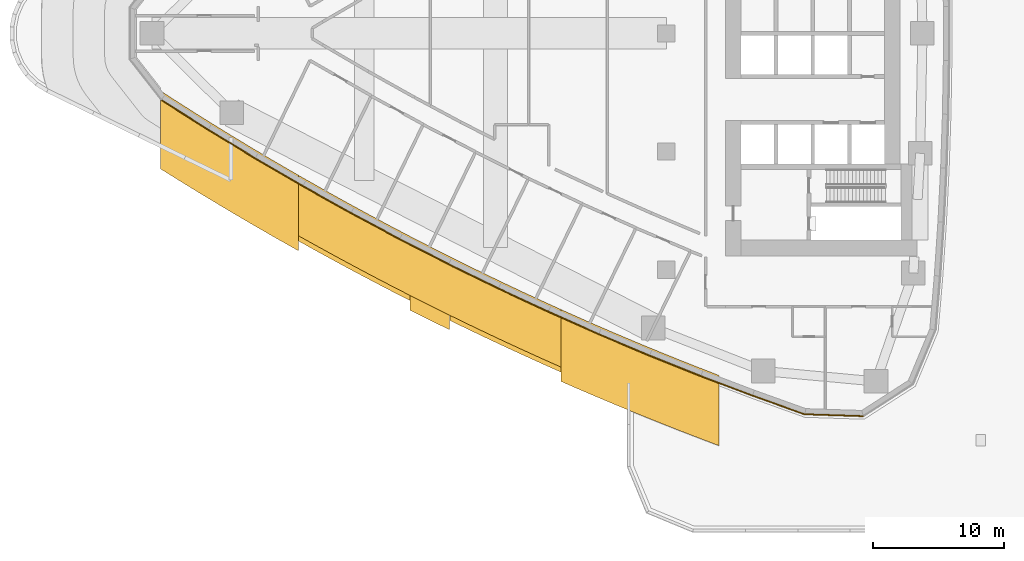
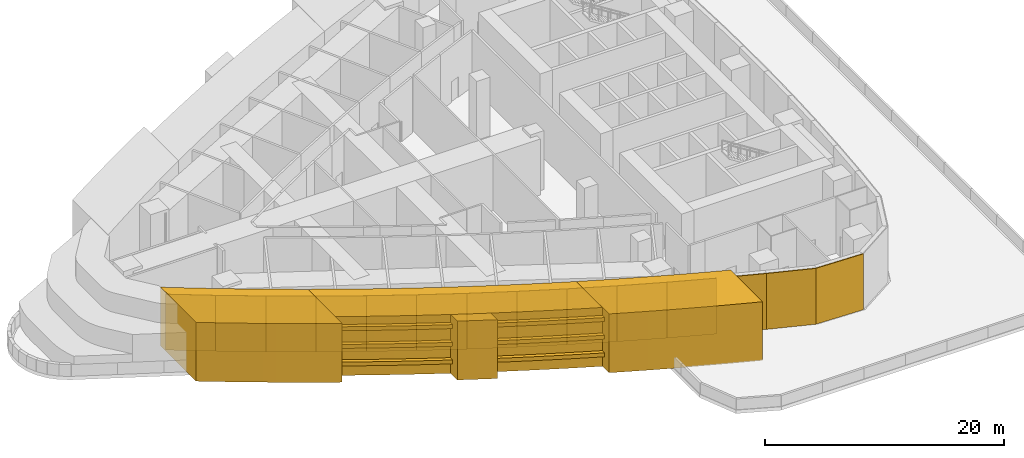
# One storey, part 8 of 14: 24 coverings.
"""IFC4 building model written with IfcOpenShell, lengths in metres."""

from ifc_helpers import new_model, si_unit, direction, frame, origin, place, context, subcontext, project, spatial, polyline, outline, extrude, material, layer, layer_set, type_object, element, save


model = new_model("IFC4")

# Units and contexts
model_context = context("Model", 3, precision=1e-05, world=origin(), true_north=direction((0.0, 1.0)))
body_context = subcontext(model_context, "Body", "Model", "MODEL_VIEW")
ifc_project = project(units=[si_unit("LENGTHUNIT", "METRE"), si_unit("AREAUNIT", "SQUARE_METRE"), si_unit("VOLUMEUNIT", "CUBIC_METRE"), si_unit("PLANEANGLEUNIT", "RADIAN"), si_unit("MASSUNIT", "GRAM", prefix="KILO")], contexts=[model_context])

# Site, building, storey
site_placement = place(None, origin())
site = spatial("IfcSite", under=ifc_project, at=site_placement, CompositionType="ELEMENT")
building_placement = place(site_placement, origin())
building = spatial("IfcBuilding", under=site, at=building_placement, Name="Ostrand Prow Hotel Tower", CompositionType="ELEMENT")
storey_placement = place(building_placement, frame((0.0, 0.0, 29.0)))
storey = spatial("IfcBuildingStorey", under=building, at=storey_placement, Name="L05", CompositionType="ELEMENT", Elevation=29.0)

# Coverings
ifc_material_1 = material(Name="Limestone cladding", Category="masonry")
ifc_layer_1 = layer(ifc_material_1, 5.0)
ifc_layer_set_1 = layer_set([ifc_layer_1], Name="Limestone cladding")
covering_type_1 = type_object("IfcCoveringType", Name="Portal jamb pilaster limestone", PredefinedType="CLADDING", material=ifc_layer_set_1)
covering_1_placement = place(storey_placement, origin())
element("IfcCovering", 1, at=covering_1_placement, inside=storey, type_object=covering_type_1, Name="Portal jamb SA L05", PredefinedType="CLADDING", context=body_context, shape_type="SweptSolid", body=[
    extrude(outline(polyline([(6.5, -4.3837890625), (6.5, -10.319580078125), (7.45458984375, -10.917724609375), (8.4091796875, -11.509521484375), (9.363525390625, -12.09521484375), (10.318115234375, -12.67431640625), (11.272705078125, -13.247314453125), (12.227294921875, -13.81396484375), (13.181884765625, -14.37451171875), (14.136474609375, -14.92919921875), (15.0908203125, -15.4775390625), (16.04541015625, -16.020263671875), (17.0, -16.556640625), (17.0, -10.80859375), (16.04541015625, -10.25634765625), (15.0908203125, -9.697998046875), (14.136474609375, -9.13330078125), (13.181884765625, -8.562255859375), (12.227294921875, -7.98486328125), (11.272705078125, -7.401123046875), (10.318115234375, -6.810791015625), (9.363525390625, -6.214111328125), (8.4091796875, -5.610595703125), (7.45458984375, -5.00048828125), (6.5, -4.3837890625)])), origin(), (0.0, 0.0, 1.0), 6.0),
])
covering_2_placement = place(storey_placement, origin())
element("IfcCovering", 2, at=covering_2_placement, inside=storey, type_object=covering_type_1, Name="Portal jamb SB L05", PredefinedType="CLADDING", context=body_context, shape_type="SweptSolid", body=[
    extrude(outline(polyline([(37.0, -21.037109375), (37.0, -26.50927734375), (38.0, -26.945556640625), (39.0, -27.376220703125), (40.0, -27.801513671875), (41.0, -28.22119140625), (42.0, -28.635498046875), (43.0, -29.044189453125), (44.0, -29.447509765625), (45.0, -29.845703125), (46.0, -30.23828125), (47.0, -30.62548828125), (48.0, -31.0078125), (49.0, -31.384521484375), (49.0, -26.03759765625), (48.0, -25.6513671875), (47.0, -25.259765625), (46.0, -24.862548828125), (45.0, -24.459716796875), (44.0, -24.051513671875), (43.0, -23.637939453125), (42.0, -23.218505859375), (41.0, -22.793701171875), (40.0, -22.363037109375), (39.0, -21.9267578125), (38.0, -21.484619140625), (37.0, -21.037109375)])), origin(), (0.0, 0.0, 1.0), 6.0),
])
ifc_material_2 = material(Name="Limestone cladding", Category="masonry")
ifc_layer_2 = layer(ifc_material_2, 1.0)
ifc_layer_set_2 = layer_set([ifc_layer_2], Name="Limestone cladding")
covering_type_2 = type_object("IfcCoveringType", Name="Portal keystone limestone", PredefinedType="CLADDING", material=ifc_layer_set_2)
covering_3_placement = place(storey_placement, origin())
element("IfcCovering", 3, at=covering_3_placement, inside=storey, type_object=covering_type_2, Name="Portal keystone S L05", PredefinedType="CLADDING", context=body_context, shape_type="SweptSolid", body=[
    extrude(outline(polyline([(27.0, -21.83251953125), (28.5, -22.5712890625), (28.5, -21.457763671875), (28.4287109375, -21.4228515625), (27.0, -20.71533203125), (25.5712890625, -19.995361328125), (25.5, -19.958740234375), (25.5, -21.080322265625), (27.0, -21.83251953125)])), origin(), (0.0, 0.0, 1.0), 6.0),
])
ifc_material_3 = material(Name="Limestone cladding", Category="masonry")
ifc_layer_3 = layer(ifc_material_3, 0.35009765625)
ifc_layer_set_3 = layer_set([ifc_layer_3], Name="Limestone cladding")
covering_type_3 = type_object("IfcCoveringType", Name="Portal lintel course limestone 350 mm", PredefinedType="CLADDING", material=ifc_layer_set_3)
covering_4_placement = place(storey_placement, frame((0.0, 0.0, 1.199951171875)))
element("IfcCovering", 4, at=covering_4_placement, inside=storey, type_object=covering_type_3, Name="Portal lintel course S L05.1 1", PredefinedType="CLADDING", context=body_context, shape_type="SweptSolid", body=[
    extrude(outline(polyline([(24.142822265625, -19.656982421875), (25.47998046875, -20.34130859375), (25.47998046875, -19.948486328125), (24.142822265625, -19.26318359375), (22.71435546875, -18.518310546875), (21.28564453125, -17.7607421875), (19.857177734375, -16.990234375), (18.4287109375, -16.206787109375), (17.010009765625, -15.416015625), (17.010009765625, -15.8173828125), (18.4287109375, -16.606689453125), (19.857177734375, -17.388671875), (21.28564453125, -18.157470703125), (22.71435546875, -18.91357421875), (24.142822265625, -19.656982421875)])), origin(), (0.0, 0.0, 1.0), 0.400146484375),
])
covering_5_placement = place(storey_placement, frame((0.0, 0.0, 1.199951171875)))
element("IfcCovering", 5, at=covering_5_placement, inside=storey, type_object=covering_type_3, Name="Portal lintel course S L05.1 2", PredefinedType="CLADDING", context=body_context, shape_type="SweptSolid", body=[
    extrude(outline(polyline([(34.142822265625, -24.517333984375), (35.5712890625, -25.1640625), (36.989990234375, -25.794921875), (36.989990234375, -25.412109375), (35.5712890625, -24.780517578125), (34.142822265625, -24.132568359375), (32.71435546875, -23.472900390625), (31.28564453125, -22.801513671875), (29.857177734375, -22.118408203125), (28.52001953125, -21.46728515625), (28.52001953125, -21.857177734375), (29.857177734375, -22.5068359375), (31.28564453125, -23.18896484375), (32.71435546875, -23.859130859375), (34.142822265625, -24.517333984375)])), origin(), (0.0, 0.0, 1.0), 0.400146484375),
])
covering_6_placement = place(storey_placement, frame((0.0, 0.0, 3.0)))
element("IfcCovering", 6, at=covering_6_placement, inside=storey, type_object=covering_type_3, Name="Portal lintel course S L05.2 1", PredefinedType="CLADDING", context=body_context, shape_type="SweptSolid", body=[
    extrude(outline(polyline([(24.142822265625, -19.656982421875), (25.47998046875, -20.34130859375), (25.47998046875, -19.948486328125), (24.142822265625, -19.26318359375), (22.71435546875, -18.518310546875), (21.28564453125, -17.7607421875), (19.857177734375, -16.990234375), (18.4287109375, -16.206787109375), (17.010009765625, -15.416015625), (17.010009765625, -15.8173828125), (18.4287109375, -16.606689453125), (19.857177734375, -17.388671875), (21.28564453125, -18.157470703125), (22.71435546875, -18.91357421875), (24.142822265625, -19.656982421875)])), origin(), (0.0, 0.0, 1.0), 0.39990234375),
])
covering_7_placement = place(storey_placement, frame((0.0, 0.0, 3.0)))
element("IfcCovering", 7, at=covering_7_placement, inside=storey, type_object=covering_type_3, Name="Portal lintel course S L05.2 2", PredefinedType="CLADDING", context=body_context, shape_type="SweptSolid", body=[
    extrude(outline(polyline([(34.142822265625, -24.517333984375), (35.5712890625, -25.1640625), (36.989990234375, -25.794921875), (36.989990234375, -25.412109375), (35.5712890625, -24.780517578125), (34.142822265625, -24.132568359375), (32.71435546875, -23.472900390625), (31.28564453125, -22.801513671875), (29.857177734375, -22.118408203125), (28.52001953125, -21.46728515625), (28.52001953125, -21.857177734375), (29.857177734375, -22.5068359375), (31.28564453125, -23.18896484375), (32.71435546875, -23.859130859375), (34.142822265625, -24.517333984375)])), origin(), (0.0, 0.0, 1.0), 0.39990234375),
])
covering_8_placement = place(storey_placement, frame((0.0, 0.0, 4.800048828125)))
element("IfcCovering", 8, at=covering_8_placement, inside=storey, type_object=covering_type_3, Name="Portal lintel course S L05.3 1", PredefinedType="CLADDING", context=body_context, shape_type="SweptSolid", body=[
    extrude(outline(polyline([(24.142822265625, -19.656982421875), (25.47998046875, -20.34130859375), (25.47998046875, -19.948486328125), (24.142822265625, -19.26318359375), (22.71435546875, -18.518310546875), (21.28564453125, -17.7607421875), (19.857177734375, -16.990234375), (18.4287109375, -16.206787109375), (17.010009765625, -15.416015625), (17.010009765625, -15.8173828125), (18.4287109375, -16.606689453125), (19.857177734375, -17.388671875), (21.28564453125, -18.157470703125), (22.71435546875, -18.91357421875), (24.142822265625, -19.656982421875)])), origin(), (0.0, 0.0, 1.0), 0.39990234375),
])
covering_9_placement = place(storey_placement, frame((0.0, 0.0, 4.800048828125)))
element("IfcCovering", 9, at=covering_9_placement, inside=storey, type_object=covering_type_3, Name="Portal lintel course S L05.3 2", PredefinedType="CLADDING", context=body_context, shape_type="SweptSolid", body=[
    extrude(outline(polyline([(34.142822265625, -24.517333984375), (35.5712890625, -25.1640625), (36.989990234375, -25.794921875), (36.989990234375, -25.412109375), (35.5712890625, -24.780517578125), (34.142822265625, -24.132568359375), (32.71435546875, -23.472900390625), (31.28564453125, -22.801513671875), (29.857177734375, -22.118408203125), (28.52001953125, -21.46728515625), (28.52001953125, -21.857177734375), (29.857177734375, -22.5068359375), (31.28564453125, -23.18896484375), (32.71435546875, -23.859130859375), (34.142822265625, -24.517333984375)])), origin(), (0.0, 0.0, 1.0), 0.39990234375),
])
ifc_material_4 = material(Name="Limestone cladding", Category="masonry")
ifc_layer_4 = layer(ifc_material_4, 4.0)
ifc_layer_set_4 = layer_set([ifc_layer_4], Name="Limestone cladding")
covering_type_4 = type_object("IfcCoveringType", Name="Portal lintel limestone", PredefinedType="CLADDING", material=ifc_layer_set_4)
covering_10_placement = place(storey_placement, origin())
element("IfcCovering", 10, at=covering_10_placement, inside=storey, type_object=covering_type_4, Name="Portal lintel S L05", PredefinedType="CLADDING", context=body_context, shape_type="SweptSolid", body=[
    extrude(outline(polyline([(18.4287109375, -11.623779296875), (17.010009765625, -10.814453125), (17.010009765625, -15.416015625), (18.4287109375, -16.206787109375), (19.857177734375, -16.990234375), (21.28564453125, -17.7607421875), (22.71435546875, -18.518310546875), (24.142822265625, -19.26318359375), (25.5712890625, -19.995361328125), (27.0, -20.71533203125), (28.4287109375, -21.4228515625), (29.857177734375, -22.118408203125), (31.28564453125, -22.801513671875), (32.71435546875, -23.472900390625), (34.142822265625, -24.132568359375), (35.5712890625, -24.780517578125), (36.989990234375, -25.412109375), (36.989990234375, -21.037109375), (36.989990234375, -21.035888671875), (36.990234375, -21.034912109375), (36.990478515625, -21.033935546875), (36.99072265625, -21.033203125), (36.990966796875, -21.03271484375), (35.5712890625, -20.38720703125), (34.142822265625, -19.7255859375), (32.71435546875, -19.052001953125), (31.28564453125, -18.365966796875), (29.857177734375, -17.667724609375), (28.4287109375, -16.957275390625), (27.0, -16.234130859375), (25.5712890625, -15.498291015625), (24.142822265625, -14.74951171875), (22.71435546875, -13.98779296875), (21.28564453125, -13.213134765625), (19.857177734375, -12.42529296875), (18.4287109375, -11.623779296875)])), origin(), (0.0, 0.0, 1.0), 6.0),
])
ifc_material_5 = material(Name="Limestone cladding", Category="masonry")
ifc_layer_5 = layer(ifc_material_5, 0.080078125)
ifc_layer_set_5 = layer_set([ifc_layer_5], Name="Limestone cladding")
covering_type_5 = type_object("IfcCoveringType", Name="Warm limestone cladding 80 mm", PredefinedType="CLADDING", material=ifc_layer_set_5)
covering_11_placement = place(storey_placement, frame((6.5673828125, -5.0712890625, 0.0), z_axis=(0.0, 0.0, 1.0), x_axis=(0.844581661729, -0.535426761258, 0.0)))
element("IfcCovering", 11, at=covering_11_placement, inside=storey, type_object=covering_type_5, Name="Limestone cladding prow 4", PredefinedType="CLADDING", context=body_context, shape_type="SweptSolid", body=[
    extrude(outline(polyline([(-0.0068359375, -0.0400390625), (4.200927734375, -0.0400390625), (4.199951171875, 0.0400390625), (0.0068359375, 0.0400390625), (-0.0068359375, -0.0400390625)])), origin(), (0.0, 0.0, 1.0), 5.699951171875),
])
for number, where, z_axis, x_axis, name in (
    (12, (10.114990234375, -7.3203125, 0.0), (0.0, 0.0, 1.0), (0.854265888914, -0.519836311773, 0.0), "Limestone cladding prow 5"),
    (13, (13.703369140625, -9.50390625, 0.0), (0.0, 0.0, 1.0), (0.863686132712, -0.504030023074, 0.0), "Limestone cladding prow 6"),
):
    element("IfcCovering", number, at=place(storey_placement, frame(where, z_axis=z_axis, x_axis=x_axis)), inside=storey, type_object=covering_type_5, Name=name, PredefinedType="CLADDING", context=body_context, shape_type="SweptSolid", body=[
        extrude(outline(polyline([(-0.00048828125, -0.0400390625), (4.200927734375, -0.0400390625), (4.199951171875, 0.0400390625), (0.00048828125, 0.0400390625), (-0.00048828125, -0.0400390625)])), origin(), (0.0, 0.0, 1.0), 5.699951171875),
    ])
covering_12_placement = place(storey_placement, frame((17.331298828125, -11.62109375, 0.0), z_axis=(0.0, 0.0, 1.0), x_axis=(0.872829902473, -0.488024549945, 0.0)))
element("IfcCovering", 14, at=covering_12_placement, inside=storey, type_object=covering_type_5, Name="Limestone cladding prow 7", PredefinedType="CLADDING", context=body_context, shape_type="SweptSolid", body=[
    extrude(outline(polyline([(-0.00048828125, -0.0400390625), (4.201171875, -0.0400390625), (4.2001953125, 0.0400390625), (0.00048828125, 0.0400390625), (-0.00048828125, -0.0400390625)])), origin(), (0.0, 0.0, 1.0), 5.699951171875),
])
for number, where, z_axis, x_axis, name in (
    (15, (20.997802734375, -13.671142578125, 0.0), (0.0, 0.0, 1.0), (0.88165531262, -0.471893960259, 0.0), "Limestone cladding prow 8"),
    (16, (24.701171875, -15.6533203125, 0.0), (0.0, 0.0, 1.0), (0.890167577809, -0.455633277339, 0.0), "Limestone cladding prow 9"),
    (17, (28.440185546875, -17.567138671875, 0.0), (0.0, 0.0, 1.0), (0.898435827474, -0.439104843871, 0.0), "Limestone cladding prow 10"),
    (18, (32.214111328125, -19.41162109375, 0.0), (0.0, 0.0, 1.0), (0.906343438698, -0.422541798085, 0.0), "Limestone cladding prow 11"),
    (19, (36.021240234375, -21.1865234375, 0.0), (0.0, 0.0, 1.0), (0.913960086672, -0.405804090629, 0.0), "Limestone cladding prow 12"),
    (20, (39.8603515625, -22.89111328125, 0.0), (0.0, 0.0, 1.0), (0.921304629992, -0.388841585682, 0.0), "Limestone cladding prow 13"),
    (21, (43.730224609375, -24.5244140625, 0.0), (0.0, 0.0, 1.0), (0.928264093591, -0.371921729064, 0.0), "Limestone cladding prow 14"),
):
    element("IfcCovering", number, at=place(storey_placement, frame(where, z_axis=z_axis, x_axis=x_axis)), inside=storey, type_object=covering_type_5, Name=name, PredefinedType="CLADDING", context=body_context, shape_type="SweptSolid", body=[
        extrude(outline(polyline([(-0.00048828125, -0.0400390625), (4.200927734375, -0.0400390625), (4.199951171875, 0.0400390625), (0.00048828125, 0.0400390625), (-0.00048828125, -0.0400390625)])), origin(), (0.0, 0.0, 1.0), 5.699951171875),
    ])
covering_13_placement = place(storey_placement, frame((47.62939453125, -26.086669921875, 0.0), z_axis=(0.0, 0.0, 1.0), x_axis=(0.934977587602, -0.354706795371, 0.0)))
element("IfcCovering", 22, at=covering_13_placement, inside=storey, type_object=covering_type_5, Name="Limestone cladding prow 15", PredefinedType="CLADDING", context=body_context, shape_type="SweptSolid", body=[
    extrude(outline(polyline([(-0.00048828125, -0.0400390625), (4.201171875, -0.0400390625), (4.2001953125, 0.0400390625), (0.00048828125, 0.0400390625), (-0.00048828125, -0.0400390625)])), origin(), (0.0, 0.0, 1.0), 5.699951171875),
])
covering_14_placement = place(storey_placement, frame((51.556884765625, -27.57666015625, 0.0), z_axis=(0.0, 0.0, 1.0), x_axis=(0.941341494325, -0.337455465303, 0.0)))
element("IfcCovering", 23, at=covering_14_placement, inside=storey, type_object=covering_type_5, Name="Limestone cladding prow 16", PredefinedType="CLADDING", context=body_context, shape_type="SweptSolid", body=[
    extrude(outline(polyline([(-0.00048828125, -0.0400390625), (4.206787109375, -0.0400390625), (4.194091796875, 0.0400390625), (0.00048828125, 0.0400390625), (-0.00048828125, -0.0400390625)])), origin(), (0.0, 0.0, 1.0), 5.699951171875),
])
covering_15_placement = place(storey_placement, frame((55.510986328125, -28.994140625, 0.0), z_axis=(0.0, 0.0, 1.0), x_axis=(0.999463877056, -0.032740776731, 0.0)))
element("IfcCovering", 24, at=covering_15_placement, inside=storey, type_object=covering_type_5, Name="Limestone cladding prow 17", PredefinedType="CLADDING", context=body_context, shape_type="SweptSolid", body=[
    extrude(outline(polyline([(-0.00634765625, -0.0400390625), (4.50146484375, -0.0400390625), (4.4765625, 0.0400390625), (0.00634765625, 0.0400390625), (-0.00634765625, -0.0400390625)])), origin(), (0.0, 0.0, 1.0), 5.699951171875),
])

save(model, "model.ifc")
